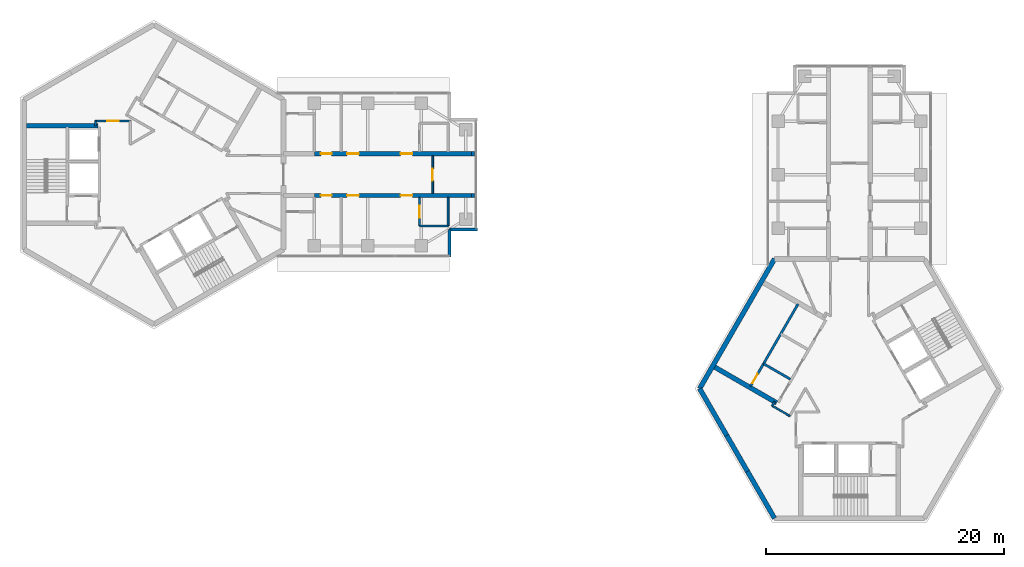
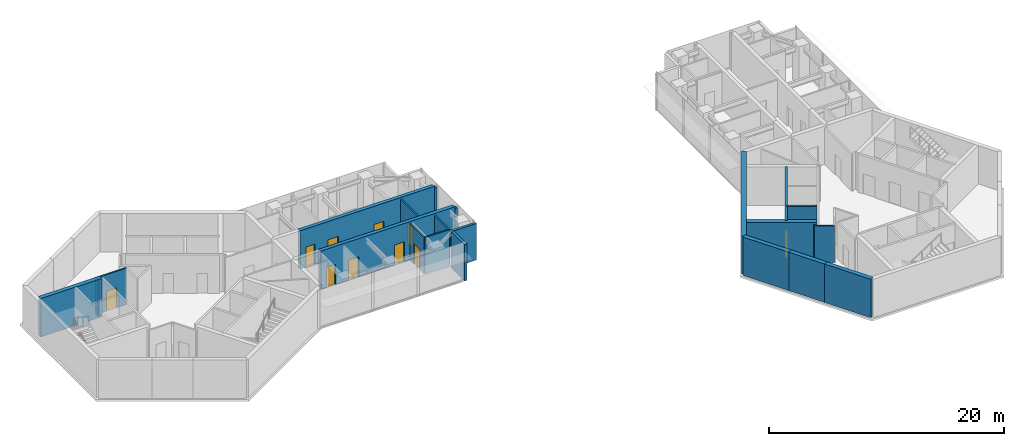
# One storey, part 6 of 11: 22 walls, 10 doors, 10 openings.
"""IFC4 building model written with IfcOpenShell, lengths in metres."""

from ifc_helpers import new_model, si_unit, direction, frame, frame_2d, origin, place, context, subcontext, project, spatial, rectangle, extrude, material, layer, layer_set, type_object, element, fill, save


model = new_model("IFC4")

# Units and contexts
model_context = context("Model", 3, precision=1e-05, world=origin(), true_north=direction((0.0, 1.0)))
body_context = subcontext(model_context, "Body", "Model", "MODEL_VIEW")
ifc_project = project(units=[si_unit("LENGTHUNIT", "METRE"), si_unit("AREAUNIT", "SQUARE_METRE"), si_unit("VOLUMEUNIT", "CUBIC_METRE"), si_unit("PLANEANGLEUNIT", "RADIAN"), si_unit("MASSUNIT", "GRAM", prefix="KILO")], contexts=[model_context])

# Site, building, storey
site_placement = place(None, origin())
site = spatial("IfcSite", under=ifc_project, at=site_placement, CompositionType="ELEMENT")
building_placement = place(site_placement, origin())
building = spatial("IfcBuilding", under=site, at=building_placement, Name="Upepo Twin Towers", CompositionType="ELEMENT")
storey_placement = place(building_placement, frame((0.0, 0.0, 255.5)))
storey = spatial("IfcBuildingStorey", under=building, at=storey_placement, Name="L62", CompositionType="ELEMENT", Elevation=255.5)

# Walls
ifc_material_1 = material(Name="Dense concrete blockwork", Category="masonry")
ifc_layer_1 = layer(ifc_material_1, 0.35009765625)
ifc_layer_set_1 = layer_set([ifc_layer_1], Name="Buttress closer 350, blockwork with fire-stopping to the curtain wall")
wall_type_1 = type_object("IfcWallType", Name="Buttress closer 350, blockwork with fire-stopping to the curtain wall", PredefinedType="PARTITIONING", material=ifc_layer_set_1)
for number, where, z_axis, x_axis, name in (
    (1, (26.699951171875, 1.75, 0.0), (0.0, 0.0, 1.0), (1.0, 0.0, 0.0), "T1 L62 wing A buttress closer L"),
    (2, (26.699951171875, -1.75, 0.0), (0.0, 0.0, 1.0), (1.0, 0.0, 0.0), "T1 L62 wing A buttress closer R"),
):
    element("IfcWall", number, at=place(storey_placement, frame(where, z_axis=z_axis, x_axis=x_axis)), inside=storey, type_object=wall_type_1, Name=name, PredefinedType="PARTITIONING", context=body_context, shape_type="SweptSolid", body=[
        extrude(rectangle(XDim=0.275146484375, YDim=0.35009765625, at=frame_2d((0.1376953125, 0.0))), origin(), (0.0, 0.0, 1.0), 3.800048828125),
    ])

# Wall, openings, doors
ifc_material_2 = material(Name="Concrete C60/75", Category="concrete")
ifc_layer_2 = layer(ifc_material_2, 0.35009765625)
ifc_layer_set_2 = layer_set([ifc_layer_2], Name="Concrete C60/75")
wall_type_2 = type_object("IfcWallType", Name="Buttress wall 350 RC", PredefinedType="SHEAR", material=ifc_layer_set_2)
wall_1_placement = place(storey_placement, frame((13.5, 1.75, 0.0), z_axis=(0.0, 0.0, 1.0), x_axis=(1.0, 0.0, 0.0)))
wall_1 = element("IfcWall", 3, at=wall_1_placement, inside=storey, type_object=wall_type_2, Name="T1 wing A buttress wall L part 2", PredefinedType="SHEAR", context=body_context, shape_type="SweptSolid", body=[
    extrude(rectangle(XDim=13.199951171875, YDim=0.35009765625, at=frame_2d((6.60009765625, 0.0))), origin(), (0.0, 0.0, 1.0), 4.0),
])
opening_1_placement = place(wall_1_placement, frame((0.550048828125, 0.0, 0.0)))
opening_1 = element("IfcOpeningElement", 4, at=opening_1_placement, cuts=wall_1, Name="Opening D11", PredefinedType="OPENING", context=body_context, shape_type="SweptSolid", body=[
    extrude(rectangle(XDim=0.89990234375, YDim=2.10009765625, at=frame_2d((0.449951171875, 1.050048828125))), frame((0.0, 0.18505859375, 0.0), z_axis=(0.0, -1.0, 0.0), x_axis=(1.0, 0.0, 0.0)), (0.0, 0.0, 1.0), 0.3701171875),
])
opening_2_placement = place(wall_1_placement, frame((2.75, 0.0, 0.0)))
opening_2 = element("IfcOpeningElement", 5, at=opening_2_placement, cuts=wall_1, Name="Opening D1", PredefinedType="OPENING", context=body_context, shape_type="SweptSolid", body=[
    extrude(rectangle(XDim=1.0, YDim=2.10009765625, at=frame_2d((0.5, 1.050048828125))), frame((0.0, 0.18505859375, 0.0), z_axis=(0.0, -1.0, 0.0), x_axis=(1.0, 0.0, 0.0)), (0.0, 0.0, 1.0), 0.3701171875),
])
opening_3_placement = place(wall_1_placement, frame((7.25, 0.0, 0.0)))
opening_3 = element("IfcOpeningElement", 6, at=opening_3_placement, cuts=wall_1, Name="Opening D1", PredefinedType="OPENING", context=body_context, shape_type="SweptSolid", body=[
    extrude(rectangle(XDim=1.0, YDim=2.10009765625, at=frame_2d((0.5, 1.050048828125))), frame((0.0, 0.18505859375, 0.0), z_axis=(0.0, -1.0, 0.0), x_axis=(1.0, 0.0, 0.0)), (0.0, 0.0, 1.0), 0.3701171875),
])
ifc_material_3 = material(Name="Timber doorset", Category="wood")
door_type_1 = type_object("IfcDoorType", Name="Room door 1000 FD30", OperationType="SINGLE_SWING_LEFT", PredefinedType="DOOR", material=ifc_material_3)
door_1_placement = place(opening_2_placement, origin())
door_1 = element("IfcDoor", 7, at=door_1_placement, inside=storey, type_object=door_type_1, Name="T1 L62 open-plan office door", OperationType="SINGLE_SWING_LEFT", OverallHeight=2.10009765625, OverallWidth=1.0, PredefinedType="DOOR", context=body_context, shape_type="SweptSolid", body=[
    extrude(rectangle(XDim=1.0, YDim=2.10009765625, at=frame_2d((0.5, 1.050048828125))), frame((0.0, 0.02490234375, 0.0), z_axis=(0.0, -1.0, 0.0), x_axis=(1.0, 0.0, 0.0)), (0.0, 0.0, 1.0), 0.050048828125),
])
fill(opening_2, door_1)
door_2_placement = place(opening_3_placement, origin())
door_2 = element("IfcDoor", 8, at=door_2_placement, inside=storey, type_object=door_type_1, Name="T1 L62 open-plan office door", OperationType="SINGLE_SWING_RIGHT", OverallHeight=2.10009765625, OverallWidth=1.0, PredefinedType="DOOR", context=body_context, shape_type="SweptSolid", body=[
    extrude(rectangle(XDim=1.0, YDim=2.10009765625, at=frame_2d((0.5, 1.050048828125))), frame((0.0, 0.02490234375, 0.0), z_axis=(0.0, -1.0, 0.0), x_axis=(1.0, 0.0, 0.0)), (0.0, 0.0, 1.0), 0.050048828125),
])
fill(opening_3, door_2)
ifc_material_4 = material(Name="Timber doorset", Category="wood")
door_type_2 = type_object("IfcDoorType", Name="Toilet door 900", OperationType="SINGLE_SWING_LEFT", PredefinedType="DOOR", material=ifc_material_4)
door_3_placement = place(opening_1_placement, origin())
door_3 = element("IfcDoor", 9, at=door_3_placement, inside=storey, type_object=door_type_2, Name="T1 L62 accessible wc door", OperationType="SINGLE_SWING_LEFT", OverallHeight=2.10009765625, OverallWidth=0.89990234375, PredefinedType="DOOR", context=body_context, shape_type="SweptSolid", body=[
    extrude(rectangle(XDim=0.89990234375, YDim=2.10009765625, at=frame_2d((0.449951171875, 1.050048828125))), frame((0.0, 0.02490234375, 0.0), z_axis=(0.0, -1.0, 0.0), x_axis=(1.0, 0.0, 0.0)), (0.0, 0.0, 1.0), 0.050048828125),
])
fill(opening_1, door_3)

wall_2_placement = place(storey_placement, frame((13.5, -1.75, 0.0), z_axis=(0.0, 0.0, 1.0), x_axis=(1.0, 0.0, 0.0)))
wall_2 = element("IfcWall", 10, at=wall_2_placement, inside=storey, type_object=wall_type_2, Name="T1 wing A buttress wall R part 2", PredefinedType="SHEAR", context=body_context, shape_type="SweptSolid", body=[
    extrude(rectangle(XDim=13.199951171875, YDim=0.35009765625, at=frame_2d((6.60009765625, 0.0))), origin(), (0.0, 0.0, 1.0), 4.0),
])
opening_4_placement = place(wall_2_placement, frame((0.550048828125, 0.0, 0.0)))
opening_4 = element("IfcOpeningElement", 11, at=opening_4_placement, cuts=wall_2, Name="Opening D11", PredefinedType="OPENING", context=body_context, shape_type="SweptSolid", body=[
    extrude(rectangle(XDim=0.89990234375, YDim=2.10009765625, at=frame_2d((0.449951171875, 1.050048828125))), frame((0.0, 0.18505859375, 0.0), z_axis=(0.0, -1.0, 0.0), x_axis=(1.0, 0.0, 0.0)), (0.0, 0.0, 1.0), 0.3701171875),
])
opening_5_placement = place(wall_2_placement, frame((2.75, 0.0, 0.0)))
opening_5 = element("IfcOpeningElement", 12, at=opening_5_placement, cuts=wall_2, Name="Opening D1", PredefinedType="OPENING", context=body_context, shape_type="SweptSolid", body=[
    extrude(rectangle(XDim=1.0, YDim=2.10009765625, at=frame_2d((0.5, 1.050048828125))), frame((0.0, 0.18505859375, 0.0), z_axis=(0.0, -1.0, 0.0), x_axis=(1.0, 0.0, 0.0)), (0.0, 0.0, 1.0), 0.3701171875),
])
opening_6_placement = place(wall_2_placement, frame((7.25, 0.0, 0.0)))
opening_6 = element("IfcOpeningElement", 13, at=opening_6_placement, cuts=wall_2, Name="Opening D1", PredefinedType="OPENING", context=body_context, shape_type="SweptSolid", body=[
    extrude(rectangle(XDim=1.0, YDim=2.10009765625, at=frame_2d((0.5, 1.050048828125))), frame((0.0, 0.18505859375, 0.0), z_axis=(0.0, -1.0, 0.0), x_axis=(1.0, 0.0, 0.0)), (0.0, 0.0, 1.0), 0.3701171875),
])
door_4_placement = place(opening_5_placement, origin())
door_4 = element("IfcDoor", 14, at=door_4_placement, inside=storey, type_object=door_type_1, Name="T1 L62 open-plan office door", OperationType="SINGLE_SWING_LEFT", OverallHeight=2.10009765625, OverallWidth=1.0, PredefinedType="DOOR", context=body_context, shape_type="SweptSolid", body=[
    extrude(rectangle(XDim=1.0, YDim=2.10009765625, at=frame_2d((0.5, 1.050048828125))), frame((0.0, 0.02490234375, 0.0), z_axis=(0.0, -1.0, 0.0), x_axis=(1.0, 0.0, 0.0)), (0.0, 0.0, 1.0), 0.050048828125),
])
fill(opening_5, door_4)
door_5_placement = place(opening_6_placement, origin())
door_5 = element("IfcDoor", 15, at=door_5_placement, inside=storey, type_object=door_type_1, Name="T1 L62 open-plan office door", OperationType="SINGLE_SWING_RIGHT", OverallHeight=2.10009765625, OverallWidth=1.0, PredefinedType="DOOR", context=body_context, shape_type="SweptSolid", body=[
    extrude(rectangle(XDim=1.0, YDim=2.10009765625, at=frame_2d((0.5, 1.050048828125))), frame((0.0, 0.02490234375, 0.0), z_axis=(0.0, -1.0, 0.0), x_axis=(1.0, 0.0, 0.0)), (0.0, 0.0, 1.0), 0.050048828125),
])
fill(opening_6, door_5)
door_6_placement = place(opening_4_placement, origin())
door_6 = element("IfcDoor", 16, at=door_6_placement, inside=storey, type_object=door_type_2, Name="T1 L62 toilets door", OperationType="SINGLE_SWING_LEFT", OverallHeight=2.10009765625, OverallWidth=0.89990234375, PredefinedType="DOOR", context=body_context, shape_type="SweptSolid", body=[
    extrude(rectangle(XDim=0.89990234375, YDim=2.10009765625, at=frame_2d((0.449951171875, 1.050048828125))), frame((0.0, 0.02490234375, 0.0), z_axis=(0.0, -1.0, 0.0), x_axis=(1.0, 0.0, 0.0)), (0.0, 0.0, 1.0), 0.050048828125),
])
fill(opening_4, door_6)

# Walls
ifc_material_5 = material(Name="Concrete C60/75", Category="concrete")
ifc_layer_3 = layer(ifc_material_5, 0.39990234375)
ifc_layer_set_3 = layer_set([ifc_layer_3], Name="Concrete C60/75")
wall_type_3 = type_object("IfcWallType", Name="Core wall 400 RC", PredefinedType="SHEAR", material=ifc_layer_set_3)
wall_3_placement = place(storey_placement, frame((52.2021484375, -7.091552734375, 0.0), z_axis=(0.0, 0.0, 1.0), x_axis=(-0.500005998175, -0.866021940709, 0.0)))
element("IfcWall", 17, at=wall_3_placement, inside=storey, type_object=wall_type_3, Name="T2 core wall 060", PredefinedType="SHEAR", context=body_context, shape_type="SweptSolid", body=[
    extrude(rectangle(XDim=12.595947265625, YDim=0.39990234375, at=frame_2d((6.2978515625, 0.0))), origin(), (0.0, 0.0, 1.0), 4.0),
])
wall_4_placement = place(storey_placement, frame((45.904052734375, -18.0, 0.0), z_axis=(0.0, 0.0, 1.0), x_axis=(0.500024481964, -0.866011268655, 0.0)))
element("IfcWall", 18, at=wall_4_placement, inside=storey, type_object=wall_type_3, Name="T2 core wall 120 R", PredefinedType="SHEAR", context=body_context, shape_type="SweptSolid", body=[
    extrude(rectangle(XDim=4.548095703125, YDim=0.39990234375, at=frame_2d((2.27392578125, 0.0))), origin(), (0.0, 0.0, 1.0), 4.0),
])
wall_5_placement = place(storey_placement, frame((48.17822265625, -21.938720703125, 0.0), z_axis=(0.0, 0.0, 1.0), x_axis=(0.500010275428, -0.866019471182, 0.0)))
element("IfcWall", 19, at=wall_5_placement, inside=storey, type_object=wall_type_3, Name="T2 core wall 120", PredefinedType="SHEAR", context=body_context, shape_type="SweptSolid", body=[
    extrude(rectangle(XDim=3.5, YDim=0.39990234375, at=frame_2d((1.75, 0.0))), origin(), (0.0, 0.0, 1.0), 4.0),
])
wall_6_placement = place(storey_placement, frame((49.92822265625, -24.9697265625, 0.0), z_axis=(0.0, 0.0, 1.0), x_axis=(0.499984222037, -0.866034513004, 0.0)))
element("IfcWall", 20, at=wall_6_placement, inside=storey, type_object=wall_type_3, Name="T2 core wall 120 L", PredefinedType="SHEAR", context=body_context, shape_type="SweptSolid", body=[
    extrude(rectangle(XDim=4.548095703125, YDim=0.39990234375, at=frame_2d((2.27392578125, 0.0))), origin(), (0.0, 0.0, 1.0), 4.0),
])
ifc_material_6 = material(Name="Blockwork with anodised aluminium cladding", Category="masonry")
ifc_layer_4 = layer(ifc_material_6, 0.25)
ifc_layer_set_4 = layer_set([ifc_layer_4], Name="Notch cladding wall 250, pale metal")
wall_type_4 = type_object("IfcWallType", Name="Notch cladding wall 250, pale metal", PredefinedType="STANDARD", material=ifc_layer_set_4)
for number, where, z_axis, x_axis, name in (
    (21, (24.875, -6.949951171875, 0.0), (0.0, 0.0, 1.0), (0.0, 1.0, 0.0), "T1 L62 wing A notch wall R1"),
    (22, (24.875, -4.625, 0.0), (0.0, 0.0, 1.0), (1.0, 0.0, 0.0), "T1 L62 wing A notch wall R2"),
):
    element("IfcWall", number, at=place(storey_placement, frame(where, z_axis=z_axis, x_axis=x_axis)), inside=storey, type_object=wall_type_4, Name=name, PredefinedType="STANDARD", context=body_context, shape_type="SweptSolid", body=[
        extrude(rectangle(XDim=2.324951171875, YDim=0.25, at=frame_2d((1.16259765625, 0.0))), origin(), (0.0, 0.0, 1.0), 3.800048828125),
    ])
ifc_material_7 = material(Name="Concrete C40/50", Category="concrete")
ifc_layer_5 = layer(ifc_material_7, 0.199951171875)
ifc_layer_set_5 = layer_set([ifc_layer_5], Name="Concrete C40/50")
wall_type_5 = type_object("IfcWallType", Name="Shaft wall 200 RC", PredefinedType="SHEAR", material=ifc_layer_set_5)
wall_7_placement = place(storey_placement, frame((53.52978515625, -17.208740234375, 0.0), z_axis=(0.0, 0.0, 1.0), x_axis=(-0.866062058628, 0.499936506574, 0.0)))
element("IfcWall", 23, at=wall_7_placement, inside=storey, type_object=wall_type_5, Name="T2 core W60 lobby wall", PredefinedType="SHEAR", context=body_context, shape_type="SweptSolid", body=[
    extrude(rectangle(XDim=2.599853515625, YDim=0.199951171875, at=frame_2d((1.2998046875, 0.0))), origin(), (0.0, 0.0, 1.0), 4.0),
])

# Wall, opening, door
wall_8_placement = place(storey_placement, frame((54.177978515625, -10.885986328125, 0.0), z_axis=(0.0, 0.0, 1.0), x_axis=(-0.49999894854, -0.866026010844, 0.0)))
wall_8 = element("IfcWall", 24, at=wall_8_placement, inside=storey, type_object=wall_type_5, Name="T2 core W60 stair wall", PredefinedType="SHEAR", context=body_context, shape_type="SweptSolid", body=[
    extrude(rectangle(XDim=8.0, YDim=0.199951171875, at=frame_2d((4.0, 0.0))), origin(), (0.0, 0.0, 1.0), 4.0),
])
opening_7_placement = place(wall_8_placement, frame((6.800048828125, 0.0, 0.0)))
opening_7 = element("IfcOpeningElement", 25, at=opening_7_placement, cuts=wall_8, Name="Opening D9", PredefinedType="OPENING", context=body_context, shape_type="SweptSolid", body=[
    extrude(rectangle(XDim=0.89990234375, YDim=2.10009765625, at=frame_2d((0.449951171875, 1.050048828125))), frame((0.0, 0.10986328125, 0.0), z_axis=(0.0, -1.0, 0.0), x_axis=(1.0, 0.0, 0.0)), (0.0, 0.0, 1.0), 0.219970703125),
])
ifc_material_8 = material(Name="Timber doorset", Category="wood")
door_type_3 = type_object("IfcDoorType", Name="Riser door 900 FD60", OperationType="SINGLE_SWING_LEFT", PredefinedType="DOOR", material=ifc_material_8)
door_7_placement = place(opening_7_placement, origin())
door_7 = element("IfcDoor", 26, at=door_7_placement, inside=storey, type_object=door_type_3, Name="T2 L62 riser door", OperationType="SINGLE_SWING_RIGHT", OverallHeight=2.10009765625, OverallWidth=0.89990234375, PredefinedType="DOOR", context=body_context, shape_type="SweptSolid", body=[
    extrude(rectangle(XDim=0.89990234375, YDim=2.10009765625, at=frame_2d((0.449951171875, 1.050048828125))), frame((0.0, 0.02490234375, 0.0), z_axis=(0.0, -1.0, 0.0), x_axis=(1.0, 0.0, 0.0)), (0.0, 0.0, 1.0), 0.050048828125),
])
fill(opening_7, door_7)

# Walls
ifc_material_9 = material(Name="Concrete C40/50", Category="concrete")
ifc_layer_6 = layer(ifc_material_9, 0.39990234375)
ifc_layer_set_6 = layer_set([ifc_layer_6], Name="Concrete C40/50")
wall_type_6 = type_object("IfcWallType", Name="Shaft wall 400 RC", PredefinedType="SHEAR", material=ifc_layer_set_6)
for number, where, z_axis, x_axis, name in (
    (27, (-4.699951171875, 4.10009765625, 0.0), (0.0, 0.0, 1.0), (-1.0, 0.0, 0.0), "T1 core W180 side wall S"),
    (28, (52.379638671875, -19.20068359375, 0.0), (0.0, 0.0, 1.0), (-0.866026570101, 0.499997979876, 0.0), "T2 core W60 side wall N"),
):
    element("IfcWall", number, at=place(storey_placement, frame(where, z_axis=z_axis, x_axis=x_axis)), inside=storey, type_object=wall_type_6, Name=name, PredefinedType="SHEAR", context=body_context, shape_type="SweptSolid", body=[
        extrude(rectangle(XDim=6.00830078125, YDim=0.39990234375, at=frame_2d((3.004150390625, 0.0))), origin(), (0.0, 0.0, 1.0), 4.0),
    ])
ifc_material_10 = material(Name="Gypsum board on steel studs", Category="steel")
ifc_layer_7 = layer(ifc_material_10, 0.14990234375)
ifc_layer_set_7 = layer_set([ifc_layer_7], Name="Teaching partition 150 acoustic")
wall_type_7 = type_object("IfcWallType", Name="Teaching partition 150 acoustic", PredefinedType="PARTITIONING", material=ifc_layer_set_7)
wall_9_placement = place(storey_placement, frame((22.35009765625, -4.324951171875, 0.0), z_axis=(0.0, 0.0, 1.0), x_axis=(1.0, 0.0, 0.0)))
element("IfcWall", 29, at=wall_9_placement, inside=storey, type_object=wall_type_7, Name="T1 inner room partition AR at 22.35", PredefinedType="PARTITIONING", context=body_context, shape_type="SweptSolid", body=[
    extrude(rectangle(XDim=2.39990234375, YDim=0.14990234375, at=frame_2d((1.199951171875, 0.0))), origin(), (0.0, 0.0, 1.0), 3.800048828125),
])

# Wall, opening, door
wall_10_placement = place(storey_placement, frame((22.35009765625, -1.925048828125, 0.0), z_axis=(0.0, 0.0, 1.0), x_axis=(0.0, -1.0, 0.0)))
wall_10 = element("IfcWall", 30, at=wall_10_placement, inside=storey, type_object=wall_type_7, Name="T1 inner room partition AR end at 22.35", PredefinedType="PARTITIONING", context=body_context, shape_type="SweptSolid", body=[
    extrude(rectangle(XDim=2.39990234375, YDim=0.14990234375, at=frame_2d((1.199951171875, 0.0))), origin(), (0.0, 0.0, 1.0), 3.800048828125),
])
opening_8_placement = place(wall_10_placement, frame((0.699951171875, 0.0, 0.0)))
opening_8 = element("IfcOpeningElement", 31, at=opening_8_placement, cuts=wall_10, Name="Opening D1", PredefinedType="OPENING", context=body_context, shape_type="SweptSolid", body=[
    extrude(rectangle(XDim=1.0, YDim=2.10009765625, at=frame_2d((0.5, 1.050048828125))), frame((0.0, 0.0849609375, 0.0), z_axis=(0.0, -1.0, 0.0), x_axis=(1.0, 0.0, 0.0)), (0.0, 0.0, 1.0), 0.169921875),
])
door_8_placement = place(opening_8_placement, origin())
door_8 = element("IfcDoor", 32, at=door_8_placement, inside=storey, type_object=door_type_1, Name="T1 L62 inner room door", OperationType="SINGLE_SWING_LEFT", OverallHeight=2.10009765625, OverallWidth=1.0, PredefinedType="DOOR", context=body_context, shape_type="SweptSolid", body=[
    extrude(rectangle(XDim=1.0, YDim=2.10009765625, at=frame_2d((0.5, 1.050048828125))), frame((0.0, 0.02490234375, 0.0), z_axis=(0.0, -1.0, 0.0), x_axis=(1.0, 0.0, 0.0)), (0.0, 0.0, 1.0), 0.050048828125),
])
fill(opening_8, door_8)

# Walls
wall_11_placement = place(storey_placement, frame((24.75, -1.925048828125, 0.0), z_axis=(0.0, 0.0, 1.0), x_axis=(0.0, -1.0, 0.0)))
element("IfcWall", 33, at=wall_11_placement, inside=storey, type_object=wall_type_7, Name="T1 inner room partition AR end at 24.75", PredefinedType="PARTITIONING", context=body_context, shape_type="SweptSolid", body=[
    extrude(rectangle(XDim=2.39990234375, YDim=0.14990234375, at=frame_2d((1.199951171875, 0.0))), origin(), (0.0, 0.0, 1.0), 3.800048828125),
])
wall_12_placement = place(storey_placement, frame((-4.89990234375, 4.090087890625, 0.0), z_axis=(0.0, 0.0, 1.0), x_axis=(0.0, 1.0, 0.0)))
element("IfcWall", 34, at=wall_12_placement, inside=storey, type_object=wall_type_7, Name="T1 core room partition 6", PredefinedType="PARTITIONING", context=body_context, shape_type="SweptSolid", body=[
    extrude(rectangle(XDim=0.429931640625, YDim=0.14990234375, at=frame_2d((0.21484375, 0.0))), origin(), (0.0, 0.0, 1.0), 3.800048828125),
])

# Wall, opening, door
wall_13_placement = place(storey_placement, frame((-4.919921875, 4.5, 0.0), z_axis=(0.0, 0.0, 1.0), x_axis=(1.0, 0.0, 0.0)))
wall_13 = element("IfcWall", 35, at=wall_13_placement, inside=storey, type_object=wall_type_7, Name="T1 core room partition 7", PredefinedType="PARTITIONING", context=body_context, shape_type="SweptSolid", body=[
    extrude(rectangle(XDim=2.96484375, YDim=0.14990234375, at=frame_2d((1.482421875, 0.0))), origin(), (0.0, 0.0, 1.0), 3.800048828125),
])
opening_9_placement = place(wall_13_placement, frame((0.982421875, 0.0, 0.0)))
opening_9 = element("IfcOpeningElement", 36, at=opening_9_placement, cuts=wall_13, Name="Opening D1", PredefinedType="OPENING", context=body_context, shape_type="SweptSolid", body=[
    extrude(rectangle(XDim=1.0, YDim=2.10009765625, at=frame_2d((0.5, 1.050048828125))), frame((0.0, 0.0849609375, 0.0), z_axis=(0.0, -1.0, 0.0), x_axis=(1.0, 0.0, 0.0)), (0.0, 0.0, 1.0), 0.169921875),
])
door_9_placement = place(opening_9_placement, origin())
door_9 = element("IfcDoor", 37, at=door_9_placement, inside=storey, type_object=door_type_1, Name="T1 L62 core room door K6", OperationType="SINGLE_SWING_RIGHT", OverallHeight=2.10009765625, OverallWidth=1.0, PredefinedType="DOOR", context=body_context, shape_type="SweptSolid", body=[
    extrude(rectangle(XDim=1.0, YDim=2.10009765625, at=frame_2d((0.5, 1.050048828125))), frame((0.0, 0.02490234375, 0.0), z_axis=(0.0, -1.0, 0.0), x_axis=(1.0, 0.0, 0.0)), (0.0, 0.0, 1.0), 0.050048828125),
])
fill(opening_9, door_9)

wall_14_placement = place(storey_placement, frame((23.449951171875, -1.574951171875, 0.0), z_axis=(0.0, 0.0, 1.0), x_axis=(0.0, 1.0, 0.0)))
wall_14 = element("IfcWall", 38, at=wall_14_placement, inside=storey, type_object=wall_type_7, Name="T1 corridor end partition A at 23.45", PredefinedType="PARTITIONING", context=body_context, shape_type="SweptSolid", body=[
    extrude(rectangle(XDim=3.14990234375, YDim=0.14990234375, at=frame_2d((1.574951171875, 0.0))), origin(), (0.0, 0.0, 1.0), 3.800048828125),
])
opening_10_placement = place(wall_14_placement, frame((1.074951171875, 0.0, 0.0)))
opening_10 = element("IfcOpeningElement", 39, at=opening_10_placement, cuts=wall_14, Name="Opening D1", PredefinedType="OPENING", context=body_context, shape_type="SweptSolid", body=[
    extrude(rectangle(XDim=1.0, YDim=2.10009765625, at=frame_2d((0.5, 1.050048828125))), frame((0.0, 0.0849609375, 0.0), z_axis=(0.0, -1.0, 0.0), x_axis=(1.0, 0.0, 0.0)), (0.0, 0.0, 1.0), 0.169921875),
])
door_10_placement = place(opening_10_placement, origin())
door_10 = element("IfcDoor", 40, at=door_10_placement, inside=storey, type_object=door_type_1, Name="T1 L62 breakout study room door", OperationType="SINGLE_SWING_LEFT", OverallHeight=2.10009765625, OverallWidth=1.0, PredefinedType="DOOR", context=body_context, shape_type="SweptSolid", body=[
    extrude(rectangle(XDim=1.0, YDim=2.10009765625, at=frame_2d((0.5, 1.050048828125))), frame((0.0, 0.02490234375, 0.0), z_axis=(0.0, -1.0, 0.0), x_axis=(1.0, 0.0, 0.0)), (0.0, 0.0, 1.0), 0.050048828125),
])
fill(opening_10, door_10)

# Walls
wall_15_placement = place(storey_placement, frame((53.49609375, -20.30712890625, 0.0), z_axis=(0.0, 0.0, 1.0), x_axis=(-0.865989304205, 0.500062521093, 0.0)))
element("IfcWall", 41, at=wall_15_placement, inside=storey, type_object=wall_type_7, Name="T2 core room partition 7", PredefinedType="PARTITIONING", context=body_context, shape_type="SweptSolid", body=[
    extrude(rectangle(XDim=1.739990234375, YDim=0.14990234375, at=frame_2d((0.8701171875, 0.0))), origin(), (0.0, 0.0, 1.0), 3.800048828125),
])
wall_16_placement = place(storey_placement, frame((51.99658203125, -19.46435546875, 0.0), z_axis=(0.0, 0.0, 1.0), x_axis=(0.499804398801, 0.866138304741, 0.0)))
element("IfcWall", 42, at=wall_16_placement, inside=storey, type_object=wall_type_7, Name="T2 core room partition 8", PredefinedType="PARTITIONING", context=body_context, shape_type="SweptSolid", body=[
    extrude(rectangle(XDim=0.429931640625, YDim=0.14990234375, at=frame_2d((0.21484375, 0.0))), origin(), (0.0, 0.0, 1.0), 3.800048828125),
])

save(model, "model.ifc")
